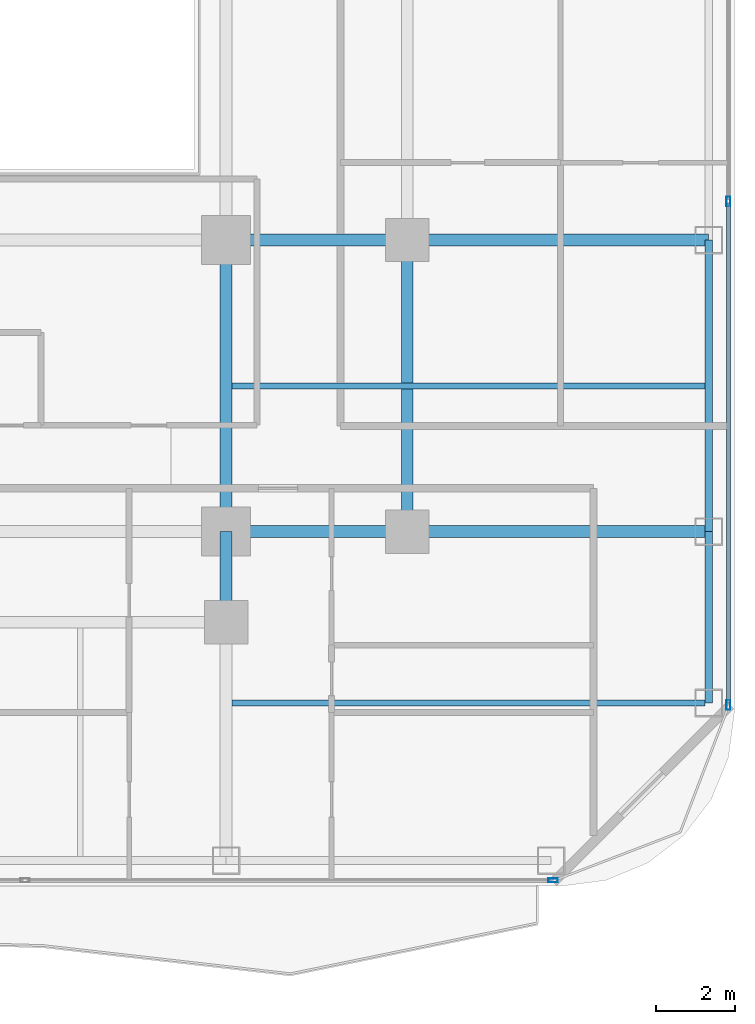
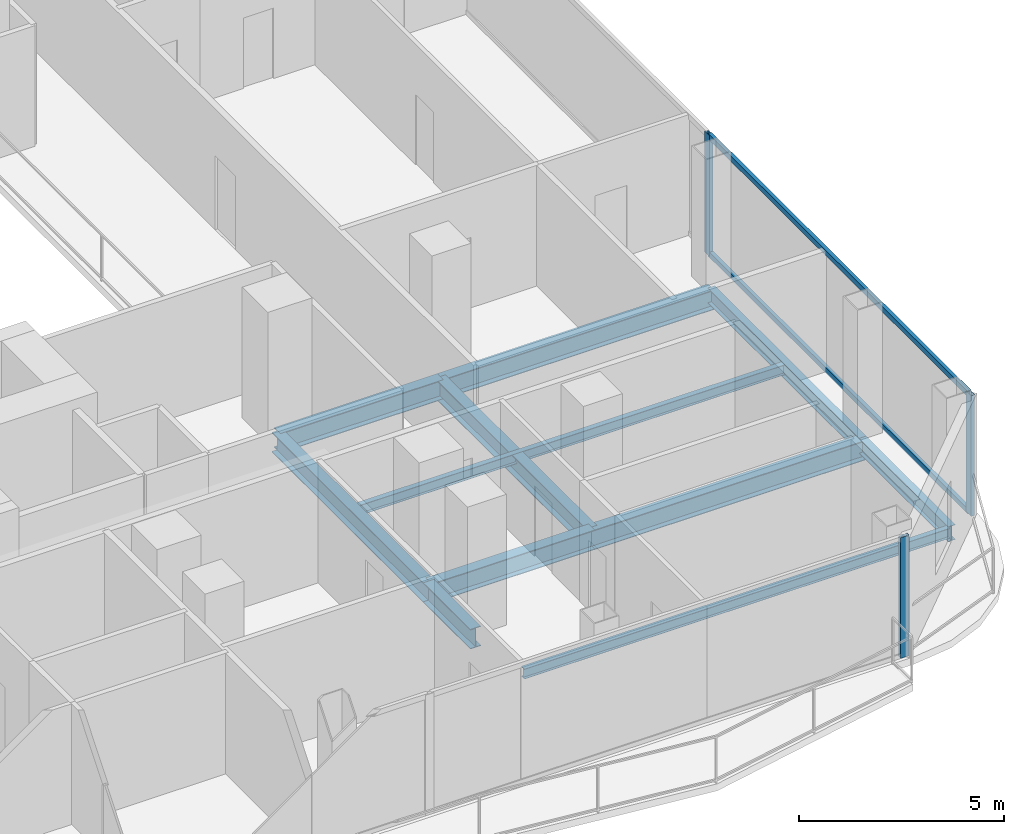
# One storey, part 10 of 27: 11 beams, 5 members, 2 elements without a shape of their own.
"""IFC4 building model written with IfcOpenShell, lengths in metres."""

import ifcopenshell
import ifcopenshell.guid

model = None  # the IFC model being written
_history = None  # IfcOwnerHistory: only IFC2X3 demands one
_inside = {}  # id of a spatial element -> (the spatial element, [elements in it])
_under = {}  # id of a project, library or spatial element -> (it, [spatial elements below it])
_declared = {}  # id of a project -> (the project, [libraries it declares])
_typed = {}  # id of a type object -> (the type object, [elements of that type])
_made_of = {}  # id of a material, layer set ... -> (it, [elements and type objects made of it])


def new_model(schema):
    """Start an empty IFC model of exactly this schema.

    Asked for "IFC4X3", IfcOpenShell would pick the latest addendum, in which some entities
    have other attributes; the version numbers below select the first issue.
    IFC2X3 requires an IfcOwnerHistory on every rooted entity: one is made here for all.
    """
    global model, _history
    if schema == "IFC4X3":
        model = ifcopenshell.file(schema_version=(4, 3, 0, 0))
    else:
        model = ifcopenshell.file(schema=schema)
    _inside.clear()
    _under.clear()
    _declared.clear()
    _typed.clear()
    _made_of.clear()
    _history = None
    if model.schema == "IFC2X3":
        org = make("IfcOrganization", Name="unknown")
        user = make(
            "IfcPersonAndOrganization",
            ThePerson=make("IfcPerson", FamilyName="unknown"),
            TheOrganization=org,
        )
        app = make(
            "IfcApplication",
            ApplicationDeveloper=org,
            Version="unknown",
            ApplicationFullName="unknown",
            ApplicationIdentifier="unknown",
        )
        _history = make(
            "IfcOwnerHistory",
            OwningUser=user,
            OwningApplication=app,
            ChangeAction="ADDED",
            CreationDate=0,
        )
    return model


def make(cls, **values):
    """One entity of the class cls with the attributes given. An attribute that is None is left unset."""
    return model.create_entity(
        cls, **{name: value for name, value in values.items() if value is not None}
    )


def rooted(cls, **values):
    """An entity with a GlobalId (a new one), such as an element, a storey or a relation."""
    return make(cls, GlobalId=ifcopenshell.guid.new(), OwnerHistory=_history, **values)


def si_unit(unit_type, name, prefix=None):
    """IfcSIUnit, for example si_unit("LENGTHUNIT", "METRE", prefix="MILLI")."""
    return make("IfcSIUnit", UnitType=unit_type, Prefix=prefix, Name=name)


def assignment(units):
    """IfcUnitAssignment: the units of a project."""
    return None if units is None else make("IfcUnitAssignment", Units=units)


def point(xyz):
    """IfcCartesianPoint."""
    return None if xyz is None else make("IfcCartesianPoint", Coordinates=xyz)


def direction(xyz):
    """IfcDirection."""
    return None if xyz is None else make("IfcDirection", DirectionRatios=xyz)


def frame(location, z_axis=None, x_axis=None):
    """IfcAxis2Placement3D, a coordinate frame: its origin and axes. An axis left out is left unset."""
    return make(
        "IfcAxis2Placement3D",
        Location=point(location),
        Axis=direction(z_axis),
        RefDirection=direction(x_axis),
    )


def frame_2d(location, x_axis=None):
    """IfcAxis2Placement2D, a coordinate frame in the plane: its origin and x axis."""
    return make(
        "IfcAxis2Placement2D", Location=point(location), RefDirection=direction(x_axis)
    )


def origin():
    """The frame at (0, 0, 0) with its axes left unset."""
    return frame((0.0, 0.0, 0.0))


def origin_2d():
    """The frame at (0, 0) in the plane with its x axis left unset."""
    return frame_2d((0.0, 0.0))


def place(relative_to, where):
    """IfcLocalPlacement: puts the frame where relative to a parent placement (None: the world)."""
    return make(
        "IfcLocalPlacement", PlacementRelTo=relative_to, RelativePlacement=where
    )


def context(
    kind, dimensions, precision=None, world=None, true_north=None, identifier=None
):
    """IfcGeometricRepresentationContext, for example the 3D "Model" context."""
    return make(
        "IfcGeometricRepresentationContext",
        ContextIdentifier=identifier,
        ContextType=kind,
        CoordinateSpaceDimension=dimensions,
        Precision=precision,
        WorldCoordinateSystem=world,
        TrueNorth=true_north,
    )


def subcontext(parent, identifier, kind, view, scale=None):
    """IfcGeometricRepresentationSubContext, for example "Body" below "Model"."""
    return make(
        "IfcGeometricRepresentationSubContext",
        ContextIdentifier=identifier,
        ContextType=kind,
        ParentContext=parent,
        TargetScale=scale,
        TargetView=view,
    )


def project(units=None, contexts=None):
    """IfcProject with its units and contexts."""
    return rooted(
        "IfcProject",
        Name="project",
        RepresentationContexts=contexts,
        UnitsInContext=assignment(units),
    )


def spatial(cls, under=None, at=None, **own):
    """A site, building, storey or space (cls), placed at a placement, below another one or the project."""
    s = rooted(cls, ObjectPlacement=at, **own)
    if under is not None:
        _under.setdefault(under.id(), (under, []))[1].append(s)
    return s


def profile(cls, at=None, kind="AREA", **sizes):
    """A parametric profile (cls). Its sizes go by their IFC names, for example OverallWidth=200.0."""
    return make(cls, ProfileType=kind, Position=at, **sizes)


def hollow_rectangle(**sizes):
    """IfcRectangleHollowProfileDef."""
    return profile("IfcRectangleHollowProfileDef", **sizes)


def i_section(**sizes):
    """IfcIShapeProfileDef."""
    return profile("IfcIShapeProfileDef", **sizes)


def extrude(swept, where, along, depth):
    """IfcExtrudedAreaSolid: the profile swept, set in the frame where, extruded along a direction by depth."""
    return make(
        "IfcExtrudedAreaSolid",
        SweptArea=swept,
        Position=where,
        ExtrudedDirection=direction(along),
        Depth=depth,
    )


def shape(context_of_items, identifier, shape_type, items):
    """IfcShapeRepresentation: the items that make up one representation, for example the "Body"."""
    return make(
        "IfcShapeRepresentation",
        ContextOfItems=context_of_items,
        RepresentationIdentifier=identifier,
        RepresentationType=shape_type,
        Items=items,
    )


def material(Name=None, Category=None):
    """IfcMaterial."""
    return make("IfcMaterial", Name=Name, Category=Category)


def layer(
    of_material, thickness, ventilated=None, Name=None, Category=None, Priority=None
):
    """IfcMaterialLayer: one layer of a wall or slab, of a material (None: an air gap)."""
    return make(
        "IfcMaterialLayer",
        Material=of_material,
        LayerThickness=thickness,
        IsVentilated=ventilated,
        Name=Name,
        Category=Category,
        Priority=Priority,
    )


def layer_set(layers, Name=None):
    """IfcMaterialLayerSet."""
    return make("IfcMaterialLayerSet", MaterialLayers=layers, LayerSetName=Name)


def material_profile(
    of_material, cross_section, Name=None, Category=None, Priority=None
):
    """IfcMaterialProfile: a cross section and its material."""
    return make(
        "IfcMaterialProfile",
        Name=Name,
        Material=of_material,
        Profile=cross_section,
        Priority=Priority,
        Category=Category,
    )


def profile_set(profiles, Name=None, composite=None):
    """IfcMaterialProfileSet."""
    return make(
        "IfcMaterialProfileSet",
        Name=Name,
        MaterialProfiles=profiles,
        CompositeProfile=composite,
    )


def made_of(thing, what):
    """Note that an element or type object is made of a material, layer set ...; save() writes the relation."""
    if what is not None:
        _made_of.setdefault(what.id(), (what, []))[1].append(thing)
    return thing


def type_object(cls, material=None, **own):
    """A type object (cls), such as IfcWallType, which elements share."""
    return made_of(rooted(cls, **own), material)


def element(
    cls,
    number,
    at=None,
    inside=None,
    cuts=None,
    type_object=None,
    material=None,
    context=None,
    identifier="Body",
    shape_type=None,
    held_by="IfcProductDefinitionShape",
    body=None,
    shapes=None,
    **own,
):
    """One element of the class cls, such as IfcWall. Its Tag is "e" and its number.

    at: its placement. inside: the storey or other place that contains it. cuts: it is an
    opening in that element (IfcRelVoidsElement). A single representation is given by context,
    identifier, shape_type and body (its items); several are given by shapes. held_by: the class
    of the entity that holds the representations. save() writes the other relations.
    """
    e = rooted(cls, Tag="e%d" % number, ObjectPlacement=at, **own)
    if body is not None:
        shapes = [shape(context, identifier, shape_type, body)]
    if shapes is not None:
        e.Representation = make(held_by, Representations=shapes)
    if inside is not None:
        _inside.setdefault(inside.id(), (inside, []))[1].append(e)
    if cuts is not None:
        rooted(
            "IfcRelVoidsElement", RelatingBuildingElement=cuts, RelatedOpeningElement=e
        )
    if type_object is not None:
        _typed.setdefault(type_object.id(), (type_object, []))[1].append(e)
    return made_of(e, material)


def aggregate(whole, parts):
    """IfcRelAggregates: a whole, such as a stair, and the parts it consists of."""
    return rooted("IfcRelAggregates", RelatingObject=whole, RelatedObjects=parts)


def save(model, path):
    """Write the relations noted so far, then the file.

    IfcRelAggregates (storeys below a building ...), IfcRelContainedInSpatialStructure (elements
    in a storey), IfcRelDefinesByType, IfcRelAssociatesMaterial and IfcRelDeclares: one each for
    every whole, place, type object, material and project.
    """
    for whole, parts in _under.values():
        aggregate(whole, parts)
    for where, things in _inside.values():
        rooted(
            "IfcRelContainedInSpatialStructure",
            RelatedElements=things,
            RelatingStructure=where,
        )
    for kind, things in _typed.values():
        rooted("IfcRelDefinesByType", RelatedObjects=things, RelatingType=kind)
    for what, things in _made_of.values():
        rooted("IfcRelAssociatesMaterial", RelatedObjects=things, RelatingMaterial=what)
    for by, libraries in _declared.values():
        rooted("IfcRelDeclares", RelatingContext=by, RelatedDefinitions=libraries)
    model.write(path)


model = new_model("IFC4")

# Units and contexts
model_context = context("Model", 3, precision=1e-05, world=origin(), true_north=direction((0.0, 1.0)))
body_context = subcontext(model_context, "Body", "Model", "MODEL_VIEW")
ifc_project = project(units=[si_unit("LENGTHUNIT", "METRE"), si_unit("AREAUNIT", "SQUARE_METRE"), si_unit("VOLUMEUNIT", "CUBIC_METRE"), si_unit("PLANEANGLEUNIT", "RADIAN"), si_unit("MASSUNIT", "GRAM", prefix="KILO")], contexts=[model_context])

# Site, building, storey
site_placement = place(None, origin())
site = spatial("IfcSite", under=ifc_project, at=site_placement, CompositionType="ELEMENT")
building_placement = place(site_placement, origin())
building = spatial("IfcBuilding", under=site, at=building_placement, Name="Khorvyn Point Tower", CompositionType="ELEMENT")
storey_placement = place(building_placement, frame((0.0, 0.0, 152.39990234375)))
storey = spatial("IfcBuildingStorey", under=building, at=storey_placement, Name="L38", CompositionType="ELEMENT", Elevation=152.39990234375)

# Curtain wall, member
ifc_material_1 = material(Name="Anodised aluminium 6063-T6 and laminated Low-E glass", Category="aluminium")
ifc_layer = layer(ifc_material_1, 0.18994140625)
ifc_layer_set = layer_set([ifc_layer], Name="Stick-Built Acoustic Curtain Wall CW-SYS-03")
curtain_wall_type = type_object("IfcCurtainWallType", Name="Stick-Built Acoustic Curtain Wall CW-SYS-03", PredefinedType="NOTDEFINED", material=ifc_layer_set)
curtain_wall_1_placement = place(storey_placement, origin())
curtain_wall_1 = element("IfcCurtainWall", 1, at=curtain_wall_1_placement, inside=storey, type_object=curtain_wall_type, Name="Curtain Wall", PredefinedType="NOTDEFINED")
ifc_material_2 = material(Name="Anodised aluminium 6063-T6", Category="aluminium")
ifc_material_profile_1 = material_profile(ifc_material_2, hollow_rectangle(XDim=0.10009765625, YDim=0.239990234375, WallThickness=0.0048828125, at=origin_2d()))
ifc_profile_set_1 = profile_set([ifc_material_profile_1], Name="Anodised aluminium 6063-T6 ALU-MUL-100x240")
member_type_1 = type_object("IfcMemberType", Name="Anodised Aluminium 6063-T6 Mullion ALU-MUL-100x240", PredefinedType="MULLION", material=ifc_profile_set_1)
member_1_placement = place(storey_placement, frame((23.10009765625, -23.64990234375, 0.0), z_axis=(0.0, 0.0, 1.0), x_axis=(0.0, -1.0, 0.0)))
member_1 = element("IfcMember", 2, at=member_1_placement, type_object=member_type_1, Name="Transom", PredefinedType="MULLION", context=body_context, shape_type="SweptSolid", body=[
    extrude(hollow_rectangle(XDim=0.10009765625, YDim=0.239990234375, WallThickness=0.0048828125, at=origin_2d()), origin(), (0.0, 0.0, 1.0), 3.60009765625),
])
aggregate(curtain_wall_1, [member_1])

# Curtain wall, members
curtain_wall_2_placement = place(storey_placement, origin())
curtain_wall_2 = element("IfcCurtainWall", 3, at=curtain_wall_2_placement, inside=storey, type_object=curtain_wall_type, Name="Curtain Wall", PredefinedType="NOTDEFINED")
member_2_placement = place(storey_placement, frame((27.550048828125, -6.416748046875, 0.0), z_axis=(0.0, 0.0, 1.0), x_axis=(1.0, 0.0, 0.0)))
member_2 = element("IfcMember", 4, at=member_2_placement, type_object=member_type_1, Name="Transom", PredefinedType="MULLION", context=body_context, shape_type="SweptSolid", body=[
    extrude(hollow_rectangle(XDim=0.10009765625, YDim=0.239990234375, WallThickness=0.0048828125, at=origin_2d()), origin(), (0.0, 0.0, 1.0), 3.60009765625),
])
member_3_placement = place(storey_placement, frame((27.550048828125, -19.199951171875, 0.0), z_axis=(0.0, 0.0, 1.0), x_axis=(1.0, 0.0, 0.0)))
member_3 = element("IfcMember", 5, at=member_3_placement, type_object=member_type_1, Name="Transom", PredefinedType="MULLION", context=body_context, shape_type="SweptSolid", body=[
    extrude(hollow_rectangle(XDim=0.10009765625, YDim=0.239990234375, WallThickness=0.0048828125, at=origin_2d()), origin(), (0.0, 0.0, 1.0), 3.60009765625),
])
ifc_material_profile_2 = material_profile(ifc_material_2, hollow_rectangle(XDim=0.10009765625, YDim=0.159912109375, WallThickness=0.00439453125, at=origin_2d()))
ifc_profile_set_2 = profile_set([ifc_material_profile_2], Name="Anodised aluminium 6063-T6 ALU-TRN-100x160")
member_type_2 = type_object("IfcMemberType", Name="Anodised Aluminium 6063-T6 Transom ALU-TRN-100x160", PredefinedType="USERDEFINED", material=ifc_profile_set_2)
member_4_placement = place(storey_placement, frame((27.550048828125, -6.466552734375, 0.050048828125), z_axis=(0.0, -1.0, 0.0), x_axis=(1.0, 0.0, 0.0)))
member_4 = element("IfcMember", 6, at=member_4_placement, type_object=member_type_2, Name="Transom", ObjectType="TRANSOM", PredefinedType="USERDEFINED", context=body_context, shape_type="SweptSolid", body=[
    extrude(hollow_rectangle(XDim=0.10009765625, YDim=0.159912109375, WallThickness=0.00439453125, at=origin_2d()), origin(), (0.0, 0.0, 1.0), 12.683349609375),
])
member_5_placement = place(storey_placement, frame((27.550048828125, -6.466552734375, 3.550048828125), z_axis=(0.0, -1.0, 0.0), x_axis=(1.0, 0.0, 0.0)))
member_5 = element("IfcMember", 7, at=member_5_placement, type_object=member_type_2, Name="Transom", ObjectType="TRANSOM", PredefinedType="USERDEFINED", context=body_context, shape_type="SweptSolid", body=[
    extrude(hollow_rectangle(XDim=0.10009765625, YDim=0.159912109375, WallThickness=0.00439453125, at=origin_2d()), origin(), (0.0, 0.0, 1.0), 12.683349609375),
])
aggregate(curtain_wall_2, [member_2, member_3, member_4, member_5])

# Beams
ifc_material_3 = material(Name="Steel S355", Category="steel")
ifc_material_profile_3 = material_profile(ifc_material_3, i_section(OverallWidth=0.300048828125, OverallDepth=0.587890625, WebThickness=0.011962890625, FlangeThickness=0.02001953125, at=origin_2d()))
ifc_profile_set_3 = profile_set([ifc_material_profile_3], Name="Steel S355 H588x300x12x20")
beam_type_1 = type_object("IfcBeamType", Name="Steel S355 Beam H588x300x12x20", PredefinedType="BEAM", material=ifc_profile_set_3)
beam_1_placement = place(storey_placement, frame((14.800048828125, -14.800048828125, -0.513916015625), z_axis=(1.0, 0.0, 0.0), x_axis=(0.0, 1.0, 0.0)))
element("IfcBeam", 8, at=beam_1_placement, inside=storey, type_object=beam_type_1, Name="Beam", PredefinedType="BEAM", context=body_context, shape_type="SweptSolid", body=[
    extrude(i_section(OverallWidth=0.300048828125, OverallDepth=0.587890625, WebThickness=0.011962890625, FlangeThickness=0.02001953125, at=origin_2d()), origin(), (0.0, 0.0, 1.0), 4.599853515625),
])
beam_2_placement = place(storey_placement, frame((19.39990234375, -14.800048828125, -0.513916015625), z_axis=(1.0, 0.0, 0.0), x_axis=(0.0, 1.0, 0.0)))
element("IfcBeam", 9, at=beam_2_placement, inside=storey, type_object=beam_type_1, Name="Beam", PredefinedType="BEAM", context=body_context, shape_type="SweptSolid", body=[
    extrude(i_section(OverallWidth=0.300048828125, OverallDepth=0.587890625, WebThickness=0.011962890625, FlangeThickness=0.02001953125, at=origin_2d()), origin(), (0.0, 0.0, 1.0), 7.650146484375),
])
beam_3_placement = place(storey_placement, frame((14.800048828125, -7.39990234375, -0.513916015625), z_axis=(1.0, 0.0, 0.0), x_axis=(0.0, 1.0, 0.0)))
element("IfcBeam", 10, at=beam_3_placement, inside=storey, type_object=beam_type_1, Name="Beam", PredefinedType="BEAM", context=body_context, shape_type="SweptSolid", body=[
    extrude(i_section(OverallWidth=0.300048828125, OverallDepth=0.587890625, WebThickness=0.011962890625, FlangeThickness=0.02001953125, at=origin_2d()), origin(), (0.0, 0.0, 1.0), 4.599853515625),
])
beam_4_placement = place(storey_placement, frame((19.39990234375, -7.39990234375, -0.513916015625), z_axis=(1.0, 0.0, 0.0), x_axis=(0.0, 1.0, 0.0)))
element("IfcBeam", 11, at=beam_4_placement, inside=storey, type_object=beam_type_1, Name="Beam", PredefinedType="BEAM", context=body_context, shape_type="SweptSolid", body=[
    extrude(i_section(OverallWidth=0.300048828125, OverallDepth=0.587890625, WebThickness=0.011962890625, FlangeThickness=0.02001953125, at=origin_2d()), origin(), (0.0, 0.0, 1.0), 7.650146484375),
])
beam_5_placement = place(storey_placement, frame((14.800048828125, -17.10009765625, -0.513916015625), z_axis=(0.0, 1.0, 0.0), x_axis=(-1.0, 0.0, 0.0)))
element("IfcBeam", 12, at=beam_5_placement, inside=storey, type_object=beam_type_1, Name="Beam", PredefinedType="BEAM", context=body_context, shape_type="SweptSolid", body=[
    extrude(i_section(OverallWidth=0.300048828125, OverallDepth=0.587890625, WebThickness=0.011962890625, FlangeThickness=0.02001953125, at=origin_2d()), origin(), (0.0, 0.0, 1.0), 2.300048828125),
])
for number, where, z_axis, x_axis, name in (
    (13, (14.800048828125, -14.800048828125, -0.513916015625), (0.0, 1.0, 0.0), (-1.0, 0.0, 0.0), "Beam"),
    (14, (19.39990234375, -14.800048828125, -0.513916015625), (0.0, 1.0, 0.0), (-1.0, 0.0, 0.0), "Beam"),
):
    element("IfcBeam", number, at=place(storey_placement, frame(where, z_axis=z_axis, x_axis=x_axis)), inside=storey, type_object=beam_type_1, Name=name, PredefinedType="BEAM", context=body_context, shape_type="SweptSolid", body=[
        extrude(i_section(OverallWidth=0.300048828125, OverallDepth=0.587890625, WebThickness=0.011962890625, FlangeThickness=0.02001953125, at=origin_2d()), origin(), (0.0, 0.0, 1.0), 7.400146484375),
    ])
ifc_material_profile_4 = material_profile(ifc_material_3, i_section(OverallWidth=0.14990234375, OverallDepth=0.300048828125, WebThickness=0.006591796875, FlangeThickness=0.009033203125, at=origin_2d()))
ifc_profile_set_4 = profile_set([ifc_material_profile_4], Name="Steel S355 H300x150x6.5x9")
beam_type_2 = type_object("IfcBeamType", Name="Steel S355 Joist H300x150x6.5x9", PredefinedType="JOIST", material=ifc_profile_set_4)
for number, where, z_axis, x_axis, name in (
    (15, (14.949951171875, -11.10009765625, -0.369873046875), (1.0, 0.0, 0.0), (0.0, 1.0, 0.0), "Beam"),
    (16, (14.949951171875, -19.14990234375, -0.369873046875), (1.0, 0.0, 0.0), (0.0, 1.0, 0.0), "Beam"),
):
    element("IfcBeam", number, at=place(storey_placement, frame(where, z_axis=z_axis, x_axis=x_axis)), inside=storey, type_object=beam_type_2, Name=name, PredefinedType="JOIST", context=body_context, shape_type="SweptSolid", body=[
        extrude(i_section(OverallWidth=0.14990234375, OverallDepth=0.300048828125, WebThickness=0.006591796875, FlangeThickness=0.009033203125, at=origin_2d()), origin(), (0.0, 0.0, 1.0), 12.0),
    ])
ifc_material_profile_5 = material_profile(ifc_material_3, i_section(OverallWidth=0.199951171875, OverallDepth=0.449951171875, WebThickness=0.009033203125, FlangeThickness=0.013916015625, at=origin_2d()))
ifc_profile_set_5 = profile_set([ifc_material_profile_5], Name="Steel S355 H450x200x9x14")
beam_type_3 = type_object("IfcBeamType", Name="Steel S355 Spandrel H450x200x9x14", PredefinedType="SPANDREL", material=ifc_profile_set_5)
beam_6_placement = place(storey_placement, frame((27.050048828125, -19.14990234375, -0.44482421875), z_axis=(0.0, 1.0, 0.0), x_axis=(-1.0, 0.0, 0.0)))
element("IfcBeam", 17, at=beam_6_placement, inside=storey, type_object=beam_type_3, Name="Beam", PredefinedType="SPANDREL", context=body_context, shape_type="SweptSolid", body=[
    extrude(i_section(OverallWidth=0.199951171875, OverallDepth=0.449951171875, WebThickness=0.009033203125, FlangeThickness=0.013916015625, at=origin_2d()), origin(), (0.0, 0.0, 1.0), 4.349853515625),
])
beam_7_placement = place(storey_placement, frame((27.050048828125, -14.800048828125, -0.44482421875), z_axis=(0.0, 1.0, 0.0), x_axis=(-1.0, 0.0, 0.0)))
element("IfcBeam", 18, at=beam_7_placement, inside=storey, type_object=beam_type_3, Name="Beam", PredefinedType="SPANDREL", context=body_context, shape_type="SweptSolid", body=[
    extrude(i_section(OverallWidth=0.199951171875, OverallDepth=0.449951171875, WebThickness=0.009033203125, FlangeThickness=0.013916015625, at=origin_2d()), origin(), (0.0, 0.0, 1.0), 7.400146484375),
])

save(model, "model.ifc")
